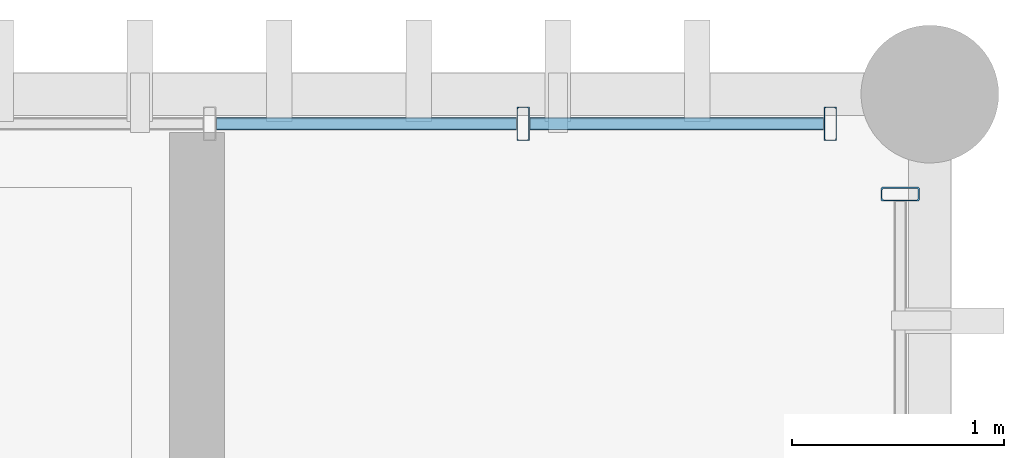
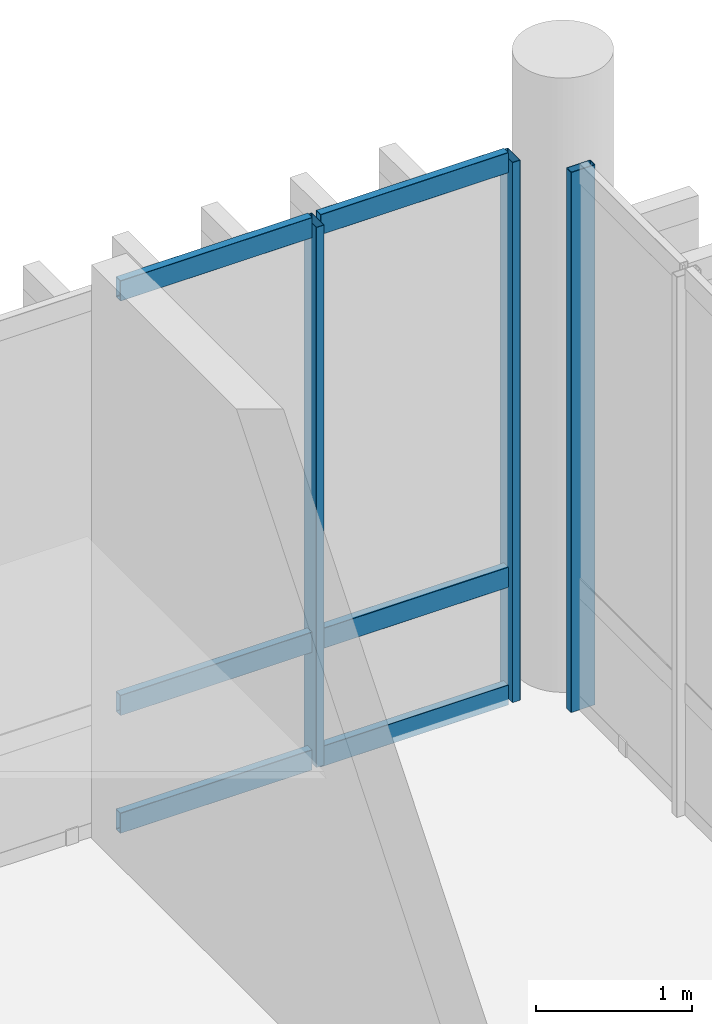
# One storey, part 59 of 86: 9 members, 2 elements without a shape of their own.
"""IFC4 building model written with IfcOpenShell, lengths in metres."""

import ifcopenshell
import ifcopenshell.guid

model = None  # the IFC model being written
_history = None  # IfcOwnerHistory: only IFC2X3 demands one
_inside = {}  # id of a spatial element -> (the spatial element, [elements in it])
_under = {}  # id of a project, library or spatial element -> (it, [spatial elements below it])
_declared = {}  # id of a project -> (the project, [libraries it declares])
_typed = {}  # id of a type object -> (the type object, [elements of that type])
_made_of = {}  # id of a material, layer set ... -> (it, [elements and type objects made of it])


def new_model(schema):
    """Start an empty IFC model of exactly this schema.

    Asked for "IFC4X3", IfcOpenShell would pick the latest addendum, in which some entities
    have other attributes; the version numbers below select the first issue.
    IFC2X3 requires an IfcOwnerHistory on every rooted entity: one is made here for all.
    """
    global model, _history
    if schema == "IFC4X3":
        model = ifcopenshell.file(schema_version=(4, 3, 0, 0))
    else:
        model = ifcopenshell.file(schema=schema)
    _inside.clear()
    _under.clear()
    _declared.clear()
    _typed.clear()
    _made_of.clear()
    _history = None
    if model.schema == "IFC2X3":
        org = make("IfcOrganization", Name="unknown")
        user = make(
            "IfcPersonAndOrganization",
            ThePerson=make("IfcPerson", FamilyName="unknown"),
            TheOrganization=org,
        )
        app = make(
            "IfcApplication",
            ApplicationDeveloper=org,
            Version="unknown",
            ApplicationFullName="unknown",
            ApplicationIdentifier="unknown",
        )
        _history = make(
            "IfcOwnerHistory",
            OwningUser=user,
            OwningApplication=app,
            ChangeAction="ADDED",
            CreationDate=0,
        )
    return model


def make(cls, **values):
    """One entity of the class cls with the attributes given. An attribute that is None is left unset."""
    return model.create_entity(
        cls, **{name: value for name, value in values.items() if value is not None}
    )


def rooted(cls, **values):
    """An entity with a GlobalId (a new one), such as an element, a storey or a relation."""
    return make(cls, GlobalId=ifcopenshell.guid.new(), OwnerHistory=_history, **values)


def si_unit(unit_type, name, prefix=None):
    """IfcSIUnit, for example si_unit("LENGTHUNIT", "METRE", prefix="MILLI")."""
    return make("IfcSIUnit", UnitType=unit_type, Prefix=prefix, Name=name)


def assignment(units):
    """IfcUnitAssignment: the units of a project."""
    return None if units is None else make("IfcUnitAssignment", Units=units)


def point(xyz):
    """IfcCartesianPoint."""
    return None if xyz is None else make("IfcCartesianPoint", Coordinates=xyz)


def direction(xyz):
    """IfcDirection."""
    return None if xyz is None else make("IfcDirection", DirectionRatios=xyz)


def frame(location, z_axis=None, x_axis=None):
    """IfcAxis2Placement3D, a coordinate frame: its origin and axes. An axis left out is left unset."""
    return make(
        "IfcAxis2Placement3D",
        Location=point(location),
        Axis=direction(z_axis),
        RefDirection=direction(x_axis),
    )


def frame_2d(location, x_axis=None):
    """IfcAxis2Placement2D, a coordinate frame in the plane: its origin and x axis."""
    return make(
        "IfcAxis2Placement2D", Location=point(location), RefDirection=direction(x_axis)
    )


def origin_with_axes():
    """The frame at (0, 0, 0) with the z axis (0, 0, 1) and the x axis (1, 0, 0) written out."""
    return frame((0.0, 0.0, 0.0), z_axis=(0.0, 0.0, 1.0), x_axis=(1.0, 0.0, 0.0))


def origin_2d_with_axis():
    """The frame at (0, 0) in the plane with the x axis (1, 0) written out."""
    return frame_2d((0.0, 0.0), x_axis=(1.0, 0.0))


def place(relative_to, where):
    """IfcLocalPlacement: puts the frame where relative to a parent placement (None: the world)."""
    return make(
        "IfcLocalPlacement", PlacementRelTo=relative_to, RelativePlacement=where
    )


def context(
    kind, dimensions, precision=None, world=None, true_north=None, identifier=None
):
    """IfcGeometricRepresentationContext, for example the 3D "Model" context."""
    return make(
        "IfcGeometricRepresentationContext",
        ContextIdentifier=identifier,
        ContextType=kind,
        CoordinateSpaceDimension=dimensions,
        Precision=precision,
        WorldCoordinateSystem=world,
        TrueNorth=true_north,
    )


def subcontext(parent, identifier, kind, view, scale=None):
    """IfcGeometricRepresentationSubContext, for example "Body" below "Model"."""
    return make(
        "IfcGeometricRepresentationSubContext",
        ContextIdentifier=identifier,
        ContextType=kind,
        ParentContext=parent,
        TargetScale=scale,
        TargetView=view,
    )


def project(units=None, contexts=None):
    """IfcProject with its units and contexts."""
    return rooted(
        "IfcProject",
        Name="project",
        RepresentationContexts=contexts,
        UnitsInContext=assignment(units),
    )


def spatial(cls, under=None, at=None, **own):
    """A site, building, storey or space (cls), placed at a placement, below another one or the project."""
    s = rooted(cls, ObjectPlacement=at, **own)
    if under is not None:
        _under.setdefault(under.id(), (under, []))[1].append(s)
    return s


def profile(cls, at=None, kind="AREA", **sizes):
    """A parametric profile (cls). Its sizes go by their IFC names, for example OverallWidth=200.0."""
    return make(cls, ProfileType=kind, Position=at, **sizes)


def hollow_rectangle(**sizes):
    """IfcRectangleHollowProfileDef."""
    return profile("IfcRectangleHollowProfileDef", **sizes)


def extrude(swept, where, along, depth):
    """IfcExtrudedAreaSolid: the profile swept, set in the frame where, extruded along a direction by depth."""
    return make(
        "IfcExtrudedAreaSolid",
        SweptArea=swept,
        Position=where,
        ExtrudedDirection=direction(along),
        Depth=depth,
    )


def shape(context_of_items, identifier, shape_type, items):
    """IfcShapeRepresentation: the items that make up one representation, for example the "Body"."""
    return make(
        "IfcShapeRepresentation",
        ContextOfItems=context_of_items,
        RepresentationIdentifier=identifier,
        RepresentationType=shape_type,
        Items=items,
    )


def material(Name=None, Category=None):
    """IfcMaterial."""
    return make("IfcMaterial", Name=Name, Category=Category)


def material_profile(
    of_material, cross_section, Name=None, Category=None, Priority=None
):
    """IfcMaterialProfile: a cross section and its material."""
    return make(
        "IfcMaterialProfile",
        Name=Name,
        Material=of_material,
        Profile=cross_section,
        Priority=Priority,
        Category=Category,
    )


def profile_set(profiles, Name=None, composite=None):
    """IfcMaterialProfileSet."""
    return make(
        "IfcMaterialProfileSet",
        Name=Name,
        MaterialProfiles=profiles,
        CompositeProfile=composite,
    )


def made_of(thing, what):
    """Note that an element or type object is made of a material, layer set ...; save() writes the relation."""
    if what is not None:
        _made_of.setdefault(what.id(), (what, []))[1].append(thing)
    return thing


def type_object(cls, material=None, **own):
    """A type object (cls), such as IfcWallType, which elements share."""
    return made_of(rooted(cls, **own), material)


def element(
    cls,
    number,
    at=None,
    inside=None,
    cuts=None,
    type_object=None,
    material=None,
    context=None,
    identifier="Body",
    shape_type=None,
    held_by="IfcProductDefinitionShape",
    body=None,
    shapes=None,
    **own,
):
    """One element of the class cls, such as IfcWall. Its Tag is "e" and its number.

    at: its placement. inside: the storey or other place that contains it. cuts: it is an
    opening in that element (IfcRelVoidsElement). A single representation is given by context,
    identifier, shape_type and body (its items); several are given by shapes. held_by: the class
    of the entity that holds the representations. save() writes the other relations.
    """
    e = rooted(cls, Tag="e%d" % number, ObjectPlacement=at, **own)
    if body is not None:
        shapes = [shape(context, identifier, shape_type, body)]
    if shapes is not None:
        e.Representation = make(held_by, Representations=shapes)
    if inside is not None:
        _inside.setdefault(inside.id(), (inside, []))[1].append(e)
    if cuts is not None:
        rooted(
            "IfcRelVoidsElement", RelatingBuildingElement=cuts, RelatedOpeningElement=e
        )
    if type_object is not None:
        _typed.setdefault(type_object.id(), (type_object, []))[1].append(e)
    return made_of(e, material)


def aggregate(whole, parts):
    """IfcRelAggregates: a whole, such as a stair, and the parts it consists of."""
    return rooted("IfcRelAggregates", RelatingObject=whole, RelatedObjects=parts)


def save(model, path):
    """Write the relations noted so far, then the file.

    IfcRelAggregates (storeys below a building ...), IfcRelContainedInSpatialStructure (elements
    in a storey), IfcRelDefinesByType, IfcRelAssociatesMaterial and IfcRelDeclares: one each for
    every whole, place, type object, material and project.
    """
    for whole, parts in _under.values():
        aggregate(whole, parts)
    for where, things in _inside.values():
        rooted(
            "IfcRelContainedInSpatialStructure",
            RelatedElements=things,
            RelatingStructure=where,
        )
    for kind, things in _typed.values():
        rooted("IfcRelDefinesByType", RelatedObjects=things, RelatingType=kind)
    for what, things in _made_of.values():
        rooted("IfcRelAssociatesMaterial", RelatedObjects=things, RelatingMaterial=what)
    for by, libraries in _declared.values():
        rooted("IfcRelDeclares", RelatingContext=by, RelatedDefinitions=libraries)
    model.write(path)


model = new_model("IFC4")

# Units and contexts
model_context = context("Model", 3, precision=1e-05, world=origin_with_axes(), true_north=direction((0.0, 1.0)))
body_context = subcontext(model_context, "Body", "Model", "MODEL_VIEW")
ifc_project = project(units=[si_unit("LENGTHUNIT", "METRE"), si_unit("AREAUNIT", "SQUARE_METRE"), si_unit("VOLUMEUNIT", "CUBIC_METRE"), si_unit("PLANEANGLEUNIT", "RADIAN"), si_unit("MASSUNIT", "GRAM", prefix="KILO"), si_unit("THERMODYNAMICTEMPERATUREUNIT", "KELVIN")], contexts=[model_context])

# Site, building, storey
site_placement = place(None, origin_with_axes())
site = spatial("IfcSite", under=ifc_project, at=site_placement, CompositionType="ELEMENT")
building_placement = place(site_placement, origin_with_axes())
building = spatial("IfcBuilding", under=site, at=building_placement, Name="Montbau Bow Law Courts", CompositionType="ELEMENT")
storey_placement = place(building_placement, frame((0.0, 0.0, 29.7), z_axis=(0.0, 0.0, 1.0), x_axis=(1.0, 0.0, 0.0)))
storey = spatial("IfcBuildingStorey", under=building, at=storey_placement, Name="L06", CompositionType="ELEMENT", Elevation=29.7)

# Curtain wall, member
ifc_material = material(Name="Thermally Broken Extruded Aluminium AA 6063-T6", Category="aluminium")
curtain_wall_type = type_object("IfcCurtainWallType", Name="CW-SLT-02", PredefinedType="NOTDEFINED", material=ifc_material)
curtain_wall_1_placement = place(None, frame((169.26, 103.64, 29.7), z_axis=(0.0, 0.0, 1.0), x_axis=(1.0, 0.0, 0.0)))
curtain_wall_1 = element("IfcCurtainWall", 1, at=curtain_wall_1_placement, inside=storey, type_object=curtain_wall_type, Name="CW-L06-364:cw_0364", PredefinedType="NOTDEFINED")
ifc_material_profile_1 = material_profile(ifc_material, hollow_rectangle(XDim=0.065, YDim=0.18, WallThickness=0.005, InnerFilletRadius=0.01, OuterFilletRadius=0.005, at=origin_2d_with_axis()), Name="CWM-180X65", Category="Main", Priority=0)
ifc_profile_set_1 = profile_set([ifc_material_profile_1], Name="Thermally Broken Extruded Aluminium AA 6063-T6")
member_type_1 = type_object("IfcMemberType", Name="M-MUL-02", PredefinedType="MULLION", material=ifc_profile_set_1)
member_1_placement = place(None, frame((169.26, 110.528, 29.7), z_axis=(0.0, 0.0, 1.0), x_axis=(0.0, 1.0, 0.0)))
member_1 = element("IfcMember", 2, at=member_1_placement, type_object=member_type_1, Name="CW-L06-364-M06:cw_0364_M06", PredefinedType="MULLION", context=body_context, shape_type="SweptSolid", body=[
    extrude(hollow_rectangle(XDim=0.065, YDim=0.18, WallThickness=0.005, InnerFilletRadius=0.01, OuterFilletRadius=0.005, at=origin_2d_with_axis()), origin_with_axes(), (0.0, 0.0, 1.0), 4.22),
])
aggregate(curtain_wall_1, [member_1])

# Curtain wall, members
curtain_wall_2_placement = place(None, frame((163.04, 110.86, 29.7), z_axis=(0.0, 0.0, 1.0), x_axis=(1.0, 0.0, 0.0)))
curtain_wall_2 = element("IfcCurtainWall", 3, at=curtain_wall_2_placement, inside=storey, type_object=curtain_wall_type, Name="CW-L06-356:cw_0356", PredefinedType="NOTDEFINED")
ifc_material_profile_2 = material_profile(ifc_material, hollow_rectangle(XDim=0.06, YDim=0.16, WallThickness=0.004, InnerFilletRadius=0.008, OuterFilletRadius=0.004, at=origin_2d_with_axis()), Name="CWM-160X60", Category="Main", Priority=0)
ifc_profile_set_2 = profile_set([ifc_material_profile_2], Name="Thermally Broken Extruded Aluminium AA 6063-T6")
member_type_2 = type_object("IfcMemberType", Name="M-MUL-03", PredefinedType="MULLION", material=ifc_profile_set_2)
member_2_placement = place(None, frame((167.48, 110.86, 29.7), z_axis=(0.0, 0.0, 1.0), x_axis=(1.0, 0.0, 0.0)))
member_2 = element("IfcMember", 4, at=member_2_placement, type_object=member_type_2, Name="CW-L06-356-M04:cw_0356_M04", PredefinedType="MULLION", context=body_context, shape_type="SweptSolid", body=[
    extrude(hollow_rectangle(XDim=0.06, YDim=0.16, WallThickness=0.004, InnerFilletRadius=0.008, OuterFilletRadius=0.004, at=origin_2d_with_axis()), origin_with_axes(), (0.0, 0.0, 1.0), 4.22),
])
member_3_placement = place(None, frame((168.93, 110.86, 29.7), z_axis=(0.0, 0.0, 1.0), x_axis=(1.0, 0.0, 0.0)))
member_3 = element("IfcMember", 5, at=member_3_placement, type_object=member_type_2, Name="CW-L06-356-M05:cw_0356_M05", PredefinedType="MULLION", context=body_context, shape_type="SweptSolid", body=[
    extrude(hollow_rectangle(XDim=0.06, YDim=0.16, WallThickness=0.004, InnerFilletRadius=0.008, OuterFilletRadius=0.004, at=origin_2d_with_axis()), origin_with_axes(), (0.0, 0.0, 1.0), 4.22),
])
ifc_material_profile_3 = material_profile(ifc_material, hollow_rectangle(XDim=0.06, YDim=0.16, WallThickness=0.004, InnerFilletRadius=0.008, OuterFilletRadius=0.004, at=origin_2d_with_axis()), Name="CWT-160X60", Category="Main", Priority=0)
ifc_profile_set_3 = profile_set([ifc_material_profile_3], Name="Thermally Broken Extruded Aluminium AA 6063-T6")
member_type_3 = type_object("IfcMemberType", Name="M-TRN-01", PredefinedType="USERDEFINED", material=ifc_profile_set_3)
member_4_placement = place(None, frame((166.032, 110.86, 29.73), z_axis=(1.0, 0.0, 0.0), x_axis=(0.0, 1.0, 0.0)))
member_4 = element("IfcMember", 6, at=member_4_placement, type_object=member_type_3, Name="CW-L06-356-T03-1:cw_0356_T03_1", ObjectType="TRANSOM", PredefinedType="USERDEFINED", context=body_context, shape_type="SweptSolid", body=[
    extrude(hollow_rectangle(XDim=0.06, YDim=0.16, WallThickness=0.004, InnerFilletRadius=0.008, OuterFilletRadius=0.004, at=origin_2d_with_axis()), origin_with_axes(), (0.0, 0.0, 1.0), 1.416),
])
member_5_placement = place(None, frame((166.032, 110.86, 30.65), z_axis=(1.0, 0.0, 0.0), x_axis=(0.0, 1.0, 0.0)))
member_5 = element("IfcMember", 7, at=member_5_placement, type_object=member_type_3, Name="CW-L06-356-T03-2:cw_0356_T03_2", ObjectType="TRANSOM", PredefinedType="USERDEFINED", context=body_context, shape_type="SweptSolid", body=[
    extrude(hollow_rectangle(XDim=0.06, YDim=0.16, WallThickness=0.004, InnerFilletRadius=0.008, OuterFilletRadius=0.004, at=origin_2d_with_axis()), origin_with_axes(), (0.0, 0.0, 1.0), 1.416),
])
member_6_placement = place(None, frame((166.032, 110.86, 33.89), z_axis=(1.0, 0.0, 0.0), x_axis=(0.0, 1.0, 0.0)))
member_6 = element("IfcMember", 8, at=member_6_placement, type_object=member_type_3, Name="CW-L06-356-T03-3:cw_0356_T03_3", ObjectType="TRANSOM", PredefinedType="USERDEFINED", context=body_context, shape_type="SweptSolid", body=[
    extrude(hollow_rectangle(XDim=0.06, YDim=0.16, WallThickness=0.004, InnerFilletRadius=0.008, OuterFilletRadius=0.004, at=origin_2d_with_axis()), origin_with_axes(), (0.0, 0.0, 1.0), 1.416),
])
member_7_placement = place(None, frame((167.512, 110.86, 29.73), z_axis=(1.0, 0.0, 0.0), x_axis=(0.0, 1.0, 0.0)))
member_7 = element("IfcMember", 9, at=member_7_placement, type_object=member_type_3, Name="CW-L06-356-T04-1:cw_0356_T04_1", ObjectType="TRANSOM", PredefinedType="USERDEFINED", context=body_context, shape_type="SweptSolid", body=[
    extrude(hollow_rectangle(XDim=0.06, YDim=0.16, WallThickness=0.004, InnerFilletRadius=0.008, OuterFilletRadius=0.004, at=origin_2d_with_axis()), origin_with_axes(), (0.0, 0.0, 1.0), 1.386),
])
member_8_placement = place(None, frame((167.512, 110.86, 30.65), z_axis=(1.0, 0.0, 0.0), x_axis=(0.0, 1.0, 0.0)))
member_8 = element("IfcMember", 10, at=member_8_placement, type_object=member_type_3, Name="CW-L06-356-T04-2:cw_0356_T04_2", ObjectType="TRANSOM", PredefinedType="USERDEFINED", context=body_context, shape_type="SweptSolid", body=[
    extrude(hollow_rectangle(XDim=0.06, YDim=0.16, WallThickness=0.004, InnerFilletRadius=0.008, OuterFilletRadius=0.004, at=origin_2d_with_axis()), origin_with_axes(), (0.0, 0.0, 1.0), 1.386),
])
member_9_placement = place(None, frame((167.512, 110.86, 33.89), z_axis=(1.0, 0.0, 0.0), x_axis=(0.0, 1.0, 0.0)))
member_9 = element("IfcMember", 11, at=member_9_placement, type_object=member_type_3, Name="CW-L06-356-T04-3:cw_0356_T04_3", ObjectType="TRANSOM", PredefinedType="USERDEFINED", context=body_context, shape_type="SweptSolid", body=[
    extrude(hollow_rectangle(XDim=0.06, YDim=0.16, WallThickness=0.004, InnerFilletRadius=0.008, OuterFilletRadius=0.004, at=origin_2d_with_axis()), origin_with_axes(), (0.0, 0.0, 1.0), 1.386),
])
aggregate(curtain_wall_2, [member_2, member_3, member_4, member_5, member_6, member_7, member_8, member_9])

save(model, "model.ifc")
